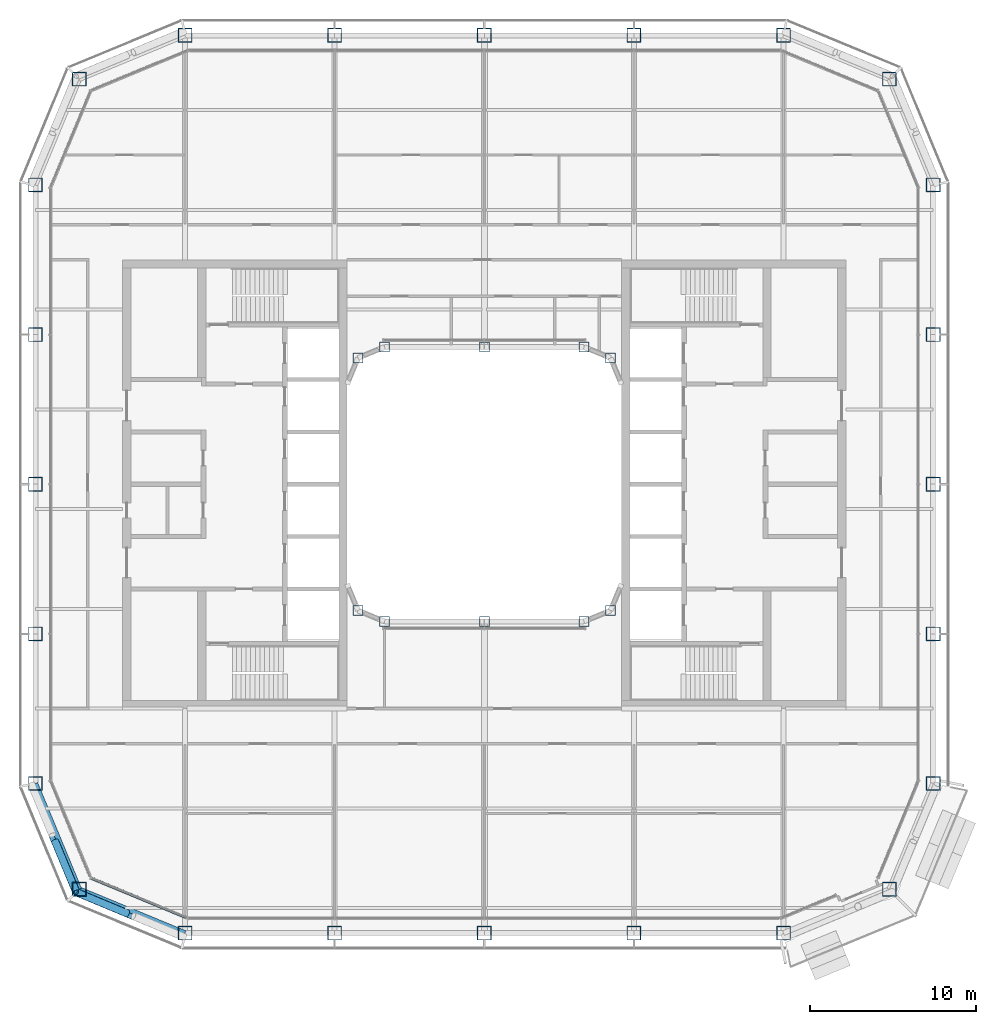
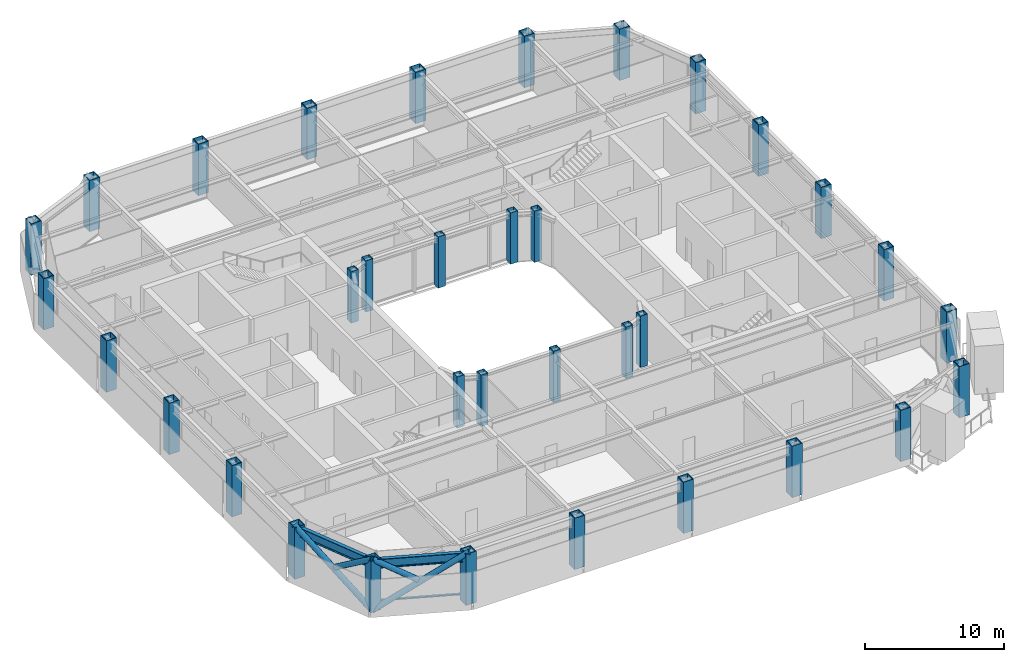
# One storey, part 1 of 22: 34 columns, 5 members, 2 beams, 1 element without a shape of its own.
"""IFC4 building model written with IfcOpenShell, lengths in metres."""

from ifc_helpers import new_model, si_unit, direction, frame, origin, origin_2d, place, context, subcontext, project, spatial, rectangle, hollow_rectangle, hollow_circle, i_section, extrude, material, layer, layer_set, material_profile, profile_set, type_object, element, aggregate, save


model = new_model("IFC4")

# Units and contexts
model_context = context("Model", 3, precision=1e-05, world=origin(), true_north=direction((0.0, 1.0)))
body_context = subcontext(model_context, "Body", "Model", "MODEL_VIEW")
ifc_project = project(units=[si_unit("LENGTHUNIT", "METRE"), si_unit("AREAUNIT", "SQUARE_METRE"), si_unit("VOLUMEUNIT", "CUBIC_METRE"), si_unit("PLANEANGLEUNIT", "RADIAN"), si_unit("MASSUNIT", "GRAM", prefix="KILO")], contexts=[model_context])

# Site, building, storey
site_placement = place(None, origin())
site = spatial("IfcSite", under=ifc_project, at=site_placement, CompositionType="ELEMENT")
building_placement = place(site_placement, origin())
building = spatial("IfcBuilding", under=site, at=building_placement, Name="Siwar Civic Tower", CompositionType="ELEMENT")
storey_placement = place(building_placement, frame((0.0, 0.0, 201.699951171875)))
storey = spatial("IfcBuildingStorey", under=building, at=storey_placement, Name="L43", CompositionType="ELEMENT", Elevation=201.699951171875)

# Columns
ifc_material_1 = material(Name="Steel S355", Category="steel")
ifc_material_profile_1 = material_profile(ifc_material_1, hollow_rectangle(XDim=0.85009765625, YDim=0.85009765625, WallThickness=0.050048828125, at=origin_2d()), Name="BOX850x850x50")
ifc_profile_set_1 = profile_set([ifc_material_profile_1], Name="Steel S355")
column_type_1 = type_object("IfcColumnType", Name="STR-COL-BOX850x850x50", PredefinedType="COLUMN", material=ifc_profile_set_1)
for number, where, z_axis, x_axis, name in (
    (1, (-18.0, -27.0, 0.0), (0.0, 0.0, 1.0), (1.0, 0.0, 0.0), "L43/col/S-0"),
    (2, (-9.0, -27.0, 0.0), (0.0, 0.0, 1.0), (1.0, 0.0, 0.0), "L43/col/S-1"),
    (3, (0.0, -27.0, 0.0), (0.0, 0.0, 1.0), (1.0, 0.0, 0.0), "L43/col/S-2"),
    (4, (9.0, -27.0, 0.0), (0.0, 0.0, 1.0), (1.0, 0.0, 0.0), "L43/col/S-3"),
    (5, (18.0, -27.0, 0.0), (0.0, 0.0, 1.0), (1.0, 0.0, 0.0), "L43/col/SE1-0"),
    (6, (24.364013671875, -24.364013671875, 0.0), (0.0, 0.0, 1.0), (1.0, 0.0, 0.0), "L43/col/SE2-0"),
    (7, (27.0, -18.0, 0.0), (0.0, 0.0, 1.0), (1.0, 0.0, 0.0), "L43/col/E-0"),
    (8, (27.0, -9.0, 0.0), (0.0, 0.0, 1.0), (1.0, 0.0, 0.0), "L43/col/E-1"),
    (9, (27.0, 0.0, 0.0), (0.0, 0.0, 1.0), (1.0, 0.0, 0.0), "L43/col/E-2"),
    (10, (27.0, 9.0, 0.0), (0.0, 0.0, 1.0), (1.0, 0.0, 0.0), "L43/col/E-3"),
    (11, (27.0, 18.0, 0.0), (0.0, 0.0, 1.0), (1.0, 0.0, 0.0), "L43/col/NE1-0"),
    (12, (24.364013671875, 24.364013671875, 0.0), (0.0, 0.0, 1.0), (1.0, 0.0, 0.0), "L43/col/NE2-0"),
    (13, (18.0, 27.0, 0.0), (0.0, 0.0, 1.0), (1.0, 0.0, 0.0), "L43/col/N-0"),
    (14, (9.0, 27.0, 0.0), (0.0, 0.0, 1.0), (1.0, 0.0, 0.0), "L43/col/N-1"),
    (15, (0.0, 27.0, 0.0), (0.0, 0.0, 1.0), (1.0, 0.0, 0.0), "L43/col/N-2"),
    (16, (-9.0, 27.0, 0.0), (0.0, 0.0, 1.0), (1.0, 0.0, 0.0), "L43/col/N-3"),
    (17, (-18.0, 27.0, 0.0), (0.0, 0.0, 1.0), (1.0, 0.0, 0.0), "L43/col/NW1-0"),
    (18, (-24.364013671875, 24.364013671875, 0.0), (0.0, 0.0, 1.0), (1.0, 0.0, 0.0), "L43/col/NW2-0"),
    (19, (-27.0, 18.0, 0.0), (0.0, 0.0, 1.0), (1.0, 0.0, 0.0), "L43/col/W-0"),
    (20, (-27.0, 9.0, 0.0), (0.0, 0.0, 1.0), (1.0, 0.0, 0.0), "L43/col/W-1"),
    (21, (-27.0, 0.0, 0.0), (0.0, 0.0, 1.0), (1.0, 0.0, 0.0), "L43/col/W-2"),
    (22, (-27.0, -9.0, 0.0), (0.0, 0.0, 1.0), (1.0, 0.0, 0.0), "L43/col/W-3"),
    (23, (-27.0, -18.0, 0.0), (0.0, 0.0, 1.0), (1.0, 0.0, 0.0), "L43/col/SW1-0"),
    (24, (-24.364013671875, -24.364013671875, 0.0), (0.0, 0.0, 1.0), (1.0, 0.0, 0.0), "L43/col/SW2-0"),
):
    element("IfcColumn", number, at=place(storey_placement, frame(where, z_axis=z_axis, x_axis=x_axis)), inside=storey, type_object=column_type_1, Name=name, PredefinedType="COLUMN", context=body_context, shape_type="SweptSolid", body=[
        extrude(hollow_rectangle(XDim=0.85009765625, YDim=0.85009765625, WallThickness=0.050048828125, at=origin_2d()), origin(), (0.0, 0.0, 1.0), 4.5),
    ])
ifc_material_2 = material(Name="Steel S355", Category="steel")
ifc_material_profile_2 = material_profile(ifc_material_2, hollow_rectangle(XDim=0.60009765625, YDim=0.60009765625, WallThickness=0.031982421875, at=origin_2d()), Name="BOX600x600x32")
ifc_profile_set_2 = profile_set([ifc_material_profile_2], Name="Steel S355")
column_type_2 = type_object("IfcColumnType", Name="STR-ICOL-BOX600x600x32", PredefinedType="COLUMN", material=ifc_profile_set_2)
for number, where, z_axis, x_axis, name in (
    (25, (-7.591064453125, -7.591064453125, 0.0), (0.0, 0.0, 1.0), (1.0, 0.0, 0.0), "L43/col/IS-0"),
    (26, (-6.0, -8.25, 0.0), (0.0, 0.0, 1.0), (1.0, 0.0, 0.0), "L43/col/IS-1"),
    (27, (0.0, -8.25, 0.0), (0.0, 0.0, 1.0), (1.0, 0.0, 0.0), "L43/col/IS-2"),
    (28, (6.0, -8.25, 0.0), (0.0, 0.0, 1.0), (1.0, 0.0, 0.0), "L43/col/IS-3"),
    (29, (7.591064453125, -7.591064453125, 0.0), (0.0, 0.0, 1.0), (1.0, 0.0, 0.0), "L43/col/IS-4"),
    (30, (-7.591064453125, 7.591064453125, 0.0), (0.0, 0.0, 1.0), (1.0, 0.0, 0.0), "L43/col/IN-0"),
    (31, (-6.0, 8.25, 0.0), (0.0, 0.0, 1.0), (1.0, 0.0, 0.0), "L43/col/IN-1"),
    (32, (0.0, 8.25, 0.0), (0.0, 0.0, 1.0), (1.0, 0.0, 0.0), "L43/col/IN-2"),
    (33, (6.0, 8.25, 0.0), (0.0, 0.0, 1.0), (1.0, 0.0, 0.0), "L43/col/IN-3"),
    (34, (7.591064453125, 7.591064453125, 0.0), (0.0, 0.0, 1.0), (1.0, 0.0, 0.0), "L43/col/IN-4"),
):
    element("IfcColumn", number, at=place(storey_placement, frame(where, z_axis=z_axis, x_axis=x_axis)), inside=storey, type_object=column_type_2, Name=name, PredefinedType="COLUMN", context=body_context, shape_type="SweptSolid", body=[
        extrude(hollow_rectangle(XDim=0.60009765625, YDim=0.60009765625, WallThickness=0.031982421875, at=origin_2d()), origin(), (0.0, 0.0, 1.0), 4.5),
    ])

# Curtain wall, member
ifc_material_3 = material(Name="Aluminium clad insulated panel", Category="aluminium")
ifc_layer = layer(ifc_material_3, 0.179931640625)
ifc_layer_set = layer_set([ifc_layer], Name="Aluminium clad insulated panel")
curtain_wall_type = type_object("IfcCurtainWallType", Name="ENV-CW-CX", PredefinedType="NOTDEFINED", material=ifc_layer_set)
curtain_wall_placement = place(storey_placement, origin())
curtain_wall = element("IfcCurtainWall", 35, at=curtain_wall_placement, inside=storey, type_object=curtain_wall_type, Name="Curtain wall C SW2", PredefinedType="NOTDEFINED")
ifc_material_4 = material(Name="Aluminium 6063-T6", Category="aluminium")
ifc_material_profile_3 = material_profile(ifc_material_4, rectangle(XDim=0.179931640625, YDim=0.10009765625, at=origin_2d()), Name="AL 180x100")
ifc_profile_set_3 = profile_set([ifc_material_profile_3], Name="Aluminium 6063-T6")
member_type_1 = type_object("IfcMemberType", Name="ENV-TRANSOM-C", PredefinedType="USERDEFINED", material=ifc_profile_set_3)
member_1_placement = place(storey_placement, frame((-23.6474609375, -23.6865234375, 0.050048828125), z_axis=(0.923876246063, -0.382691366456, 0.0), x_axis=(0.382691366456, 0.923876246063, 0.0)))
member_1 = element("IfcMember", 36, at=member_1_placement, type_object=member_type_1, Name="Transom C SW2 1", ObjectType="TRANSOM", PredefinedType="USERDEFINED", context=body_context, shape_type="SweptSolid", body=[
    extrude(rectangle(XDim=0.179931640625, YDim=0.10009765625, at=origin_2d()), origin(), (0.0, 0.0, 1.0), 6.20166015625),
])
aggregate(curtain_wall, [member_1])

# Members
ifc_material_5 = material(Name="Steel S355", Category="steel")
ifc_material_profile_4 = material_profile(ifc_material_5, hollow_circle(Radius=0.228515625, WallThickness=0.02001953125, at=origin_2d()), Name="CHS457x20")
ifc_profile_set_4 = profile_set([ifc_material_profile_4], Name="Steel S355")
member_type_2 = type_object("IfcMemberType", Name="STR-BR-CHS457x20", PredefinedType="BRACE", material=ifc_profile_set_4)
member_2_placement = place(storey_placement, frame((-24.540771484375, -24.540771484375, 0.0), z_axis=(0.777554562952, -0.323905527954, 0.538975055633), x_axis=(0.384538969033, 0.923108759191, 0.0)))
element("IfcMember", 37, at=member_2_placement, inside=storey, type_object=member_type_2, Name="L43/brc/CSW1-3-0-1", PredefinedType="BRACE", context=body_context, shape_type="SweptSolid", body=[
    extrude(hollow_circle(Radius=0.228515625, WallThickness=0.02001953125, at=origin_2d()), origin(), (0.0, 0.0, 1.0), 8.34912109375),
])
member_3_placement = place(storey_placement, frame((-21.486572265625, -25.81298828125, 2.383056640625), z_axis=(-0.777572496853, 0.323895306243, 0.538955325357), x_axis=(-0.38452107079, -0.92311621485, 0.0)))
element("IfcMember", 38, at=member_3_placement, inside=storey, type_object=member_type_2, Name="L43/brc/CSW1-3-0-3", PredefinedType="BRACE", context=body_context, shape_type="SweptSolid", body=[
    extrude(hollow_circle(Radius=0.228515625, WallThickness=0.02001953125, at=origin_2d()), origin(), (0.0, 0.0, 1.0), 3.927978515625),
])
member_4_placement = place(storey_placement, frame((-24.540771484375, -24.540771484375, 0.0), z_axis=(-0.323905527954, 0.777554562952, 0.538975055633), x_axis=(-0.923108759191, -0.384538969033, 0.0)))
element("IfcMember", 39, at=member_4_placement, inside=storey, type_object=member_type_2, Name="L43/brc/CSW1-3-0-0", PredefinedType="BRACE", context=body_context, shape_type="SweptSolid", body=[
    extrude(hollow_circle(Radius=0.228515625, WallThickness=0.02001953125, at=origin_2d()), origin(), (0.0, 0.0, 1.0), 8.34912109375),
])
member_5_placement = place(storey_placement, frame((-25.81298828125, -21.486572265625, 2.383056640625), z_axis=(0.323895306243, -0.777572496853, 0.538955325357), x_axis=(0.92311621485, 0.38452107079, 0.0)))
element("IfcMember", 40, at=member_5_placement, inside=storey, type_object=member_type_2, Name="L43/brc/CSW1-3-0-5", PredefinedType="BRACE", context=body_context, shape_type="SweptSolid", body=[
    extrude(hollow_circle(Radius=0.228515625, WallThickness=0.02001953125, at=origin_2d()), origin(), (0.0, 0.0, 1.0), 3.927978515625),
])

# Beams
ifc_material_6 = material(Name="Steel S355", Category="steel")
ifc_material_profile_5 = material_profile(ifc_material_6, i_section(OverallWidth=0.300048828125, OverallDepth=0.800048828125, WebThickness=0.017578125, FlangeThickness=0.032958984375, FilletRadius=0.030029296875, at=origin_2d()), Name="HEB800")
ifc_profile_set_5 = profile_set([ifc_material_profile_5], Name="Steel S355")
beam_type = type_object("IfcBeamType", Name="STR-SB-HEB800", PredefinedType="BEAM", material=ifc_profile_set_5)
for number, where, z_axis, x_axis, name in (
    (41, (-27.0, -18.0, 3.949951171875), (0.382674207535, -0.923883353507, 0.0), (0.923883353507, 0.382674207535, 0.0), "L43/bm/SSW1-0"),
    (42, (-24.364013671875, -24.364013671875, 3.949951171875), (0.923883353507, -0.382674207535, 0.0), (0.382674207535, 0.923883353507, 0.0), "L43/bm/SSW2-0"),
):
    element("IfcBeam", number, at=place(storey_placement, frame(where, z_axis=z_axis, x_axis=x_axis)), inside=storey, type_object=beam_type, Name=name, PredefinedType="BEAM", context=body_context, shape_type="SweptSolid", body=[
        extrude(i_section(OverallWidth=0.300048828125, OverallDepth=0.800048828125, WebThickness=0.017578125, FlangeThickness=0.032958984375, FilletRadius=0.030029296875, at=origin_2d()), origin(), (0.0, 0.0, 1.0), 6.888427734375),
    ])

save(model, "model.ifc")
